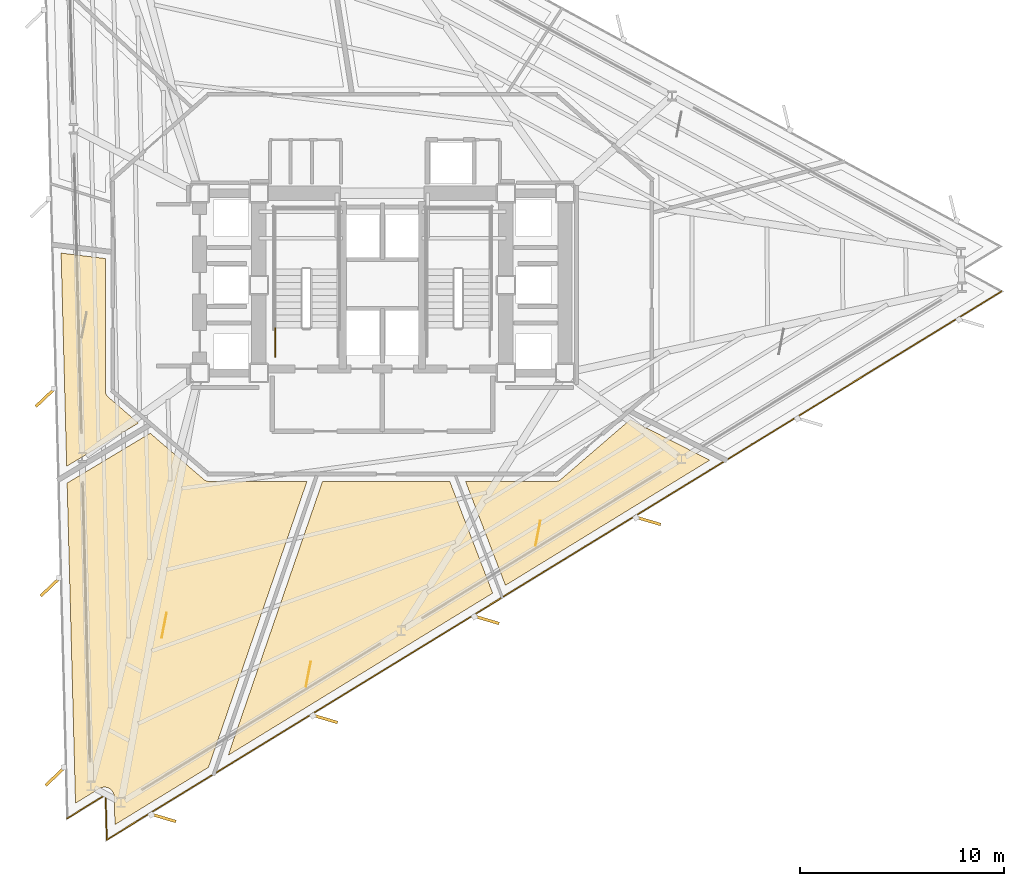
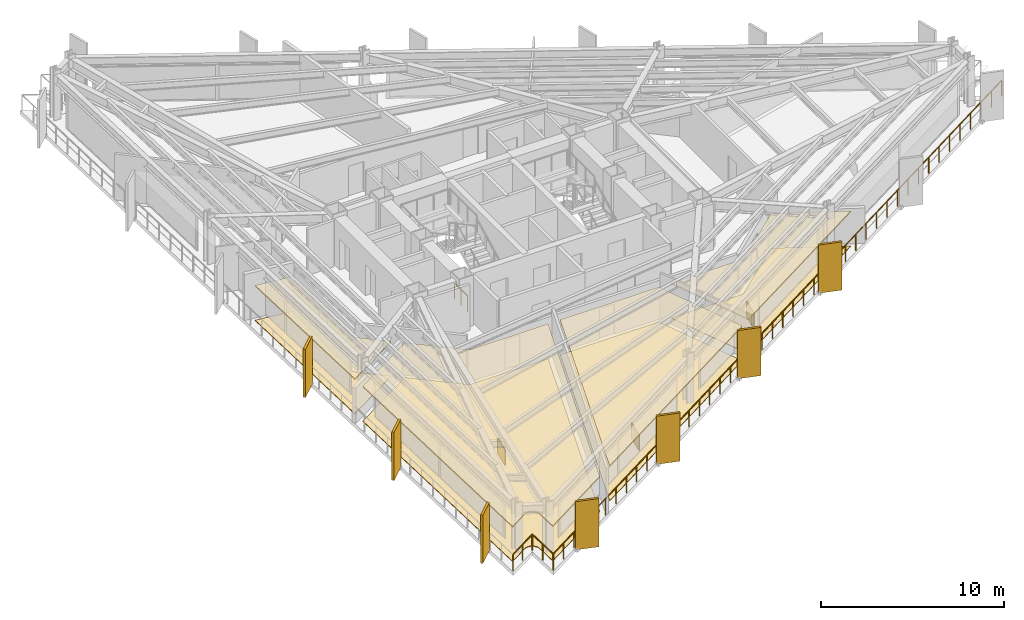
# One storey, part 10 of 14: 11 coverings, 7 shading devices, 2 railings.
"""IFC4 building model written with IfcOpenShell, lengths in metres."""

from ifc_helpers import new_model, si_unit, direction, frame, origin, origin_2d, place, context, subcontext, project, spatial, polyline, rectangle, outline, extrude, material, layer, layer_set, type_object, element, save


model = new_model("IFC4")

# Units and contexts
model_context = context("Model", 3, precision=1e-05, world=origin(), true_north=direction((0.0, 1.0)))
body_context = subcontext(model_context, "Body", "Model", "MODEL_VIEW")
ifc_project = project(units=[si_unit("LENGTHUNIT", "METRE"), si_unit("AREAUNIT", "SQUARE_METRE"), si_unit("VOLUMEUNIT", "CUBIC_METRE"), si_unit("PLANEANGLEUNIT", "RADIAN"), si_unit("MASSUNIT", "GRAM", prefix="KILO")], contexts=[model_context])

# Site, building, storey
site_placement = place(None, origin())
site = spatial("IfcSite", under=ifc_project, at=site_placement, CompositionType="ELEMENT")
building_placement = place(site_placement, origin())
building = spatial("IfcBuilding", under=site, at=building_placement, Name="Rocaltana Carrier Exchange", CompositionType="ELEMENT")
storey_placement = place(building_placement, frame((0.0, 0.0, 28.9599609375)))
storey = spatial("IfcBuildingStorey", under=building, at=storey_placement, Name="L09", CompositionType="ELEMENT", Elevation=28.9599609375)

# Coverings
ifc_material_1 = material(Name="Honed Bogota Sandstone Tile", Category="masonry")
ifc_layer_1 = layer(ifc_material_1, 0.0400390625)
ifc_layer_set_1 = layer_set([ifc_layer_1], Name="Honed Bogota Sandstone Tile")
covering_type_1 = type_object("IfcCoveringType", Name="Honed Stone Lobby Flooring 40", PredefinedType="FLOORING", material=ifc_layer_set_1)
covering_1_placement = place(storey_placement, origin())
element("IfcCovering", 1, at=covering_1_placement, inside=storey, type_object=covering_type_1, Name="L09 Peering Conference Room Finish Floor", PredefinedType="FLOORING", context=body_context, shape_type="SweptSolid", body=[
    extrude(outline(polyline([(-15.732177734375, 1.569091796875), (-13.56005859375, 1.30224609375), (-13.56005859375, -5.199951171875), (-13.559814453125, -5.21337890625), (-13.559326171875, -5.220947265625), (-13.556884765625, -5.24755859375), (-13.5556640625, -5.255126953125), (-13.550537109375, -5.281494140625), (-13.548828125, -5.288818359375), (-13.541259765625, -5.314453125), (-13.538818359375, -5.32177734375), (-13.52880859375, -5.346435546875), (-13.525634765625, -5.353515625), (-13.51318359375, -5.377197265625), (-13.509521484375, -5.3837890625), (-13.4951171875, -5.40625), (-13.490478515625, -5.41259765625), (-13.47412109375, -5.433349609375), (-13.468994140625, -5.439208984375), (-13.450439453125, -5.45849609375), (-13.44482421875, -5.4638671875), (-13.43505859375, -5.47265625), (-11.944580078125, -6.757080078125), (-15.458984375, -8.86865234375), (-15.732177734375, 1.569091796875)])), origin(), (0.0, 0.0, 1.0), 0.0400390625),
])
covering_2_placement = place(storey_placement, origin())
element("IfcCovering", 2, at=covering_2_placement, inside=storey, type_object=covering_type_1, Name="L09 Incident Briefing Room Finish Floor", PredefinedType="FLOORING", context=body_context, shape_type="SweptSolid", body=[
    extrude(outline(polyline([(-13.12939453125, -25.05224609375), (-13.1298828125, -25.038330078125), (-13.131591796875, -25.018310546875), (-13.135009765625, -24.99072265625), (-13.138427734375, -24.97119140625), (-13.144775390625, -24.94384765625), (-13.150146484375, -24.9248046875), (-13.1591796875, -24.898193359375), (-13.16650390625, -24.879638671875), (-13.177978515625, -24.854248046875), (-13.18701171875, -24.83642578125), (-13.200927734375, -24.8125), (-13.2119140625, -24.795654296875), (-13.228271484375, -24.77294921875), (-13.240478515625, -24.75732421875), (-13.259033203125, -24.736572265625), (-13.273193359375, -24.722412109375), (-13.29345703125, -24.703369140625), (-13.308837890625, -24.6904296875), (-13.3310546875, -24.673583984375), (-13.34765625, -24.66259765625), (-13.371337890625, -24.64794921875), (-13.388916015625, -24.638427734375), (-13.4140625, -24.626220703125), (-13.4326171875, -24.61865234375), (-13.458740234375, -24.609130859375), (-13.477783203125, -24.603271484375), (-13.5048828125, -24.596435546875), (-13.5244140625, -24.592529296875), (-13.552001953125, -24.58837890625), (-13.57177734375, -24.58642578125), (-13.599609375, -24.5849609375), (-13.61962890625, -24.585205078125), (-13.6474609375, -24.58642578125), (-13.66748046875, -24.58837890625), (-13.695068359375, -24.5927734375), (-13.714599609375, -24.5966796875), (-13.74169921875, -24.603515625), (-13.760498046875, -24.609619140625), (-13.786865234375, -24.619140625), (-13.80517578125, -24.626708984375), (-13.830322265625, -24.638916015625), (-13.847900390625, -24.6484375), (-13.85986328125, -24.655517578125), (-15.02685546875, -25.37060546875), (-15.437255859375, -9.695556640625), (-11.3701171875, -7.251953125), (-8.735107421875, -9.522705078125), (-8.72412109375, -9.53173828125), (-8.717529296875, -9.53662109375), (-8.6943359375, -9.552978515625), (-8.6875, -9.557373046875), (-8.66259765625, -9.571044921875), (-8.6552734375, -9.57470703125), (-8.629150390625, -9.5859375), (-8.62158203125, -9.5888671875), (-8.594482421875, -9.597412109375), (-8.58642578125, -9.599365234375), (-8.55859375, -9.60498046875), (-8.550537109375, -9.606201171875), (-8.522216796875, -9.609130859375), (-8.51416015625, -9.609619140625), (-8.5, -9.610107421875), (-3.689697265625, -9.610107421875), (-8.510986328125, -23.6123046875), (-13.093505859375, -26.42041015625), (-13.12939453125, -25.05224609375)])), origin(), (0.0, 0.0, 1.0), 0.0400390625),
])
covering_3_placement = place(storey_placement, origin())
element("IfcCovering", 3, at=covering_3_placement, inside=storey, type_object=covering_type_1, Name="L09 Peering Conference Room Finish Floor", PredefinedType="FLOORING", context=body_context, shape_type="SweptSolid", body=[
    extrude(outline(polyline([(-7.5458984375, -23.02099609375), (-2.92822265625, -9.610107421875), (3.30322265625, -9.610107421875), (5.40478515625, -15.084716796875), (-7.5458984375, -23.02099609375)])), origin(), (0.0, 0.0, 1.0), 0.0400390625),
])
covering_4_placement = place(storey_placement, origin())
element("IfcCovering", 4, at=covering_4_placement, inside=storey, type_object=covering_type_1, Name="L09 Optical Switching Laboratory Finish Floor", PredefinedType="FLOORING", context=body_context, shape_type="SweptSolid", body=[
    extrude(outline(polyline([(6.029296875, -14.7021484375), (4.074462890625, -9.610107421875), (8.5, -9.610107421875), (8.51416015625, -9.609619140625), (8.522216796875, -9.609130859375), (8.550537109375, -9.606201171875), (8.55859375, -9.60498046875), (8.58642578125, -9.599365234375), (8.594482421875, -9.597412109375), (8.62158203125, -9.5888671875), (8.629150390625, -9.5859375), (8.6552734375, -9.57470703125), (8.66259765625, -9.571044921875), (8.6875, -9.557373046875), (8.6943359375, -9.552978515625), (8.717529296875, -9.53662109375), (8.72412109375, -9.53173828125), (8.735107421875, -9.522705078125), (12.13916015625, -6.58935546875), (16.031494140625, -8.572509765625), (6.029296875, -14.7021484375)])), origin(), (0.0, 0.0, 1.0), 0.0400390625),
])
ifc_material_2 = material(Name="Anodised Aluminium 6063-T6", Category="aluminium")
ifc_layer_2 = layer(ifc_material_2, 0.0849609375)
ifc_layer_set_2 = layer_set([ifc_layer_2], Name="Anodised Aluminium 6063-T6")
covering_type_2 = type_object("IfcCoveringType", Name="Linear Baffle Acoustic Ceiling 85", PredefinedType="CEILING", material=ifc_layer_set_2)
covering_5_placement = place(storey_placement, frame((0.0, 0.0, 2.282958984375)))
element("IfcCovering", 5, at=covering_5_placement, inside=storey, type_object=covering_type_2, Name="L09 Peering Conference Room Acoustic Ceiling", PredefinedType="CEILING", context=body_context, shape_type="SweptSolid", body=[
    extrude(outline(polyline([(-15.732177734375, 1.569091796875), (-13.56005859375, 1.30224609375), (-13.56005859375, -5.199951171875), (-13.559814453125, -5.21337890625), (-13.559326171875, -5.220947265625), (-13.556884765625, -5.24755859375), (-13.5556640625, -5.255126953125), (-13.550537109375, -5.281494140625), (-13.548828125, -5.288818359375), (-13.541259765625, -5.314453125), (-13.538818359375, -5.32177734375), (-13.52880859375, -5.346435546875), (-13.525634765625, -5.353515625), (-13.51318359375, -5.377197265625), (-13.509521484375, -5.3837890625), (-13.4951171875, -5.40625), (-13.490478515625, -5.41259765625), (-13.47412109375, -5.433349609375), (-13.468994140625, -5.439208984375), (-13.450439453125, -5.45849609375), (-13.44482421875, -5.4638671875), (-13.43505859375, -5.47265625), (-11.944580078125, -6.757080078125), (-15.458984375, -8.86865234375), (-15.732177734375, 1.569091796875)])), origin(), (0.0, 0.0, 1.0), 0.0849609375),
])
covering_6_placement = place(storey_placement, frame((0.0, 0.0, 2.282958984375)))
element("IfcCovering", 6, at=covering_6_placement, inside=storey, type_object=covering_type_2, Name="L09 Incident Briefing Room Acoustic Ceiling", PredefinedType="CEILING", context=body_context, shape_type="SweptSolid", body=[
    extrude(outline(polyline([(-13.12939453125, -25.05224609375), (-13.1298828125, -25.038330078125), (-13.131591796875, -25.018310546875), (-13.135009765625, -24.99072265625), (-13.138427734375, -24.97119140625), (-13.144775390625, -24.94384765625), (-13.150146484375, -24.9248046875), (-13.1591796875, -24.898193359375), (-13.16650390625, -24.879638671875), (-13.177978515625, -24.854248046875), (-13.18701171875, -24.83642578125), (-13.200927734375, -24.8125), (-13.2119140625, -24.795654296875), (-13.228271484375, -24.77294921875), (-13.240478515625, -24.75732421875), (-13.259033203125, -24.736572265625), (-13.273193359375, -24.722412109375), (-13.29345703125, -24.703369140625), (-13.308837890625, -24.6904296875), (-13.3310546875, -24.673583984375), (-13.34765625, -24.66259765625), (-13.371337890625, -24.64794921875), (-13.388916015625, -24.638427734375), (-13.4140625, -24.626220703125), (-13.4326171875, -24.61865234375), (-13.458740234375, -24.609130859375), (-13.477783203125, -24.603271484375), (-13.5048828125, -24.596435546875), (-13.5244140625, -24.592529296875), (-13.552001953125, -24.58837890625), (-13.57177734375, -24.58642578125), (-13.599609375, -24.5849609375), (-13.61962890625, -24.585205078125), (-13.6474609375, -24.58642578125), (-13.66748046875, -24.58837890625), (-13.695068359375, -24.5927734375), (-13.714599609375, -24.5966796875), (-13.74169921875, -24.603515625), (-13.760498046875, -24.609619140625), (-13.786865234375, -24.619140625), (-13.80517578125, -24.626708984375), (-13.830322265625, -24.638916015625), (-13.847900390625, -24.6484375), (-13.85986328125, -24.655517578125), (-15.02685546875, -25.37060546875), (-15.437255859375, -9.695556640625), (-11.3701171875, -7.251953125), (-8.735107421875, -9.522705078125), (-8.72412109375, -9.53173828125), (-8.717529296875, -9.53662109375), (-8.6943359375, -9.552978515625), (-8.6875, -9.557373046875), (-8.66259765625, -9.571044921875), (-8.6552734375, -9.57470703125), (-8.629150390625, -9.5859375), (-8.62158203125, -9.5888671875), (-8.594482421875, -9.597412109375), (-8.58642578125, -9.599365234375), (-8.55859375, -9.60498046875), (-8.550537109375, -9.606201171875), (-8.522216796875, -9.609130859375), (-8.51416015625, -9.609619140625), (-8.5, -9.610107421875), (-3.689697265625, -9.610107421875), (-8.510986328125, -23.6123046875), (-13.093505859375, -26.42041015625), (-13.12939453125, -25.05224609375)])), origin(), (0.0, 0.0, 1.0), 0.0849609375),
])
covering_7_placement = place(storey_placement, frame((0.0, 0.0, 2.282958984375)))
element("IfcCovering", 7, at=covering_7_placement, inside=storey, type_object=covering_type_2, Name="L09 Peering Conference Room Acoustic Ceiling", PredefinedType="CEILING", context=body_context, shape_type="SweptSolid", body=[
    extrude(outline(polyline([(-7.5458984375, -23.02099609375), (-2.92822265625, -9.610107421875), (3.30322265625, -9.610107421875), (5.40478515625, -15.084716796875), (-7.5458984375, -23.02099609375)])), origin(), (0.0, 0.0, 1.0), 0.0849609375),
])
covering_8_placement = place(storey_placement, frame((0.0, 0.0, 2.282958984375)))
element("IfcCovering", 8, at=covering_8_placement, inside=storey, type_object=covering_type_2, Name="L09 Optical Switching Laboratory Acoustic Ceiling", PredefinedType="CEILING", context=body_context, shape_type="SweptSolid", body=[
    extrude(outline(polyline([(6.029296875, -14.7021484375), (4.074462890625, -9.610107421875), (8.5, -9.610107421875), (8.51416015625, -9.609619140625), (8.522216796875, -9.609130859375), (8.550537109375, -9.606201171875), (8.55859375, -9.60498046875), (8.58642578125, -9.599365234375), (8.594482421875, -9.597412109375), (8.62158203125, -9.5888671875), (8.629150390625, -9.5859375), (8.6552734375, -9.57470703125), (8.66259765625, -9.571044921875), (8.6875, -9.557373046875), (8.6943359375, -9.552978515625), (8.717529296875, -9.53662109375), (8.72412109375, -9.53173828125), (8.735107421875, -9.522705078125), (12.13916015625, -6.58935546875), (16.031494140625, -8.572509765625), (6.029296875, -14.7021484375)])), origin(), (0.0, 0.0, 1.0), 0.0849609375),
])

# Railing
ifc_material_3 = material(Name="Powder-Coated Aluminium 6063-T6", Category="aluminium")
ifc_layer_3 = layer(ifc_material_3, 0.048095703125)
ifc_layer_set_3 = layer_set([ifc_layer_3], Name="Powder-Coated Aluminium 6063-T6")
railing_type_1 = type_object("IfcRailingType", Name="Stair Well Guardrail 1100", PredefinedType="GUARDRAIL", material=ifc_layer_set_3)
railing_1_placement = place(storey_placement, frame((-5.25, -3.5, 0.0)))
element("IfcRailing", 9, at=railing_1_placement, inside=storey, type_object=railing_type_1, Name="L09 ST-1 stair guard 9", PredefinedType="GUARDRAIL", context=body_context, shape_type="SweptSolid", body=[
    extrude(rectangle(XDim=0.048095703125, YDim=0.048095703125, at=origin_2d()), frame((0.0, 0.0, 1.076171875), z_axis=(0.0, 1.0, 0.0), x_axis=(-1.0, 0.0, 0.0)), (0.0, 0.0, 1.0), 1.39990234375),
    extrude(rectangle(XDim=0.0419921875, YDim=0.0419921875, at=origin_2d()), origin(), (0.0, 0.0, 1.0), 1.052001953125),
    extrude(rectangle(XDim=0.0419921875, YDim=0.0419921875, at=origin_2d()), frame((0.0, 0.699951171875, 0.0)), (0.0, 0.0, 1.0), 1.052001953125),
    extrude(rectangle(XDim=0.0419921875, YDim=0.0419921875, at=origin_2d()), frame((0.0, 1.39990234375, 0.0)), (0.0, 0.0, 1.0), 1.052001953125),
])

# Coverings
ifc_material_4 = material(Name="Honed Piedra Muneca Sandstone", Category="masonry")
ifc_layer_4 = layer(ifc_material_4, 0.034912109375)
ifc_layer_set_4 = layer_set([ifc_layer_4], Name="Honed Piedra Muneca Sandstone")
covering_type_3 = type_object("IfcCoveringType", Name="Stone Facade Cladding 35", PredefinedType="CLADDING", material=ifc_layer_set_4)
for number, where, z_axis, x_axis, name in (
    (10, (-10.68505859375, -16.654052734375, 0.0), (0.0, 0.0, 1.0), (0.190808995377, 0.981627183448, 0.0), "L09 Stone Facade Cladding Panel 2"),
    (11, (-3.625, -19.052734375, 0.0), (0.0, 0.0, 1.0), (0.190808995377, 0.981627183448, 0.0), "L09 Stone Facade Cladding Panel 3"),
    (12, (7.617919921875, -12.156005859375, 0.0), (0.0, 0.0, 1.0), (0.190808995377, 0.981627183448, 0.0), "L09 Stone Facade Cladding Panel 4"),
):
    element("IfcCovering", number, at=place(storey_placement, frame(where, z_axis=z_axis, x_axis=x_axis)), inside=storey, type_object=covering_type_3, Name=name, PredefinedType="CLADDING", context=body_context, shape_type="SweptSolid", body=[
        extrude(rectangle(XDim=1.25, YDim=0.034912109375, at=origin_2d()), origin(), (0.0, 0.0, 1.0), 1.050048828125),
    ])

# Shading devices
ifc_material_5 = material(Name="Honed Bogota Sandstone & Concrete C45/55", Category="masonry")
ifc_layer_5 = layer(ifc_material_5, 0.139892578125)
ifc_layer_set_5 = layer_set([ifc_layer_5], Name="Honed Bogota Sandstone & Concrete C45/55")
shading_device_type = type_object("IfcShadingDeviceType", Name="Vertical Sandstone Shading Fin 1320x140", PredefinedType="USERDEFINED", material=ifc_layer_set_5)
for number, where, z_axis, x_axis, name in (
    (13, (-16.488525390625, -5.48828125, -0.1201171875), (0.0, 0.0, 1.0), (-0.725374371012, -0.688354575694, 0.0), "L09 Sandstone Vertical Fin F2-04"),
    (14, (-16.24560546875, -14.76513671875, -0.1201171875), (0.0, 0.0, 1.0), (-0.725374371012, -0.688354575694, 0.0), "L09 Sandstone Vertical Fin F2-05"),
    (15, (-16.002685546875, -24.0419921875, -0.1201171875), (0.0, 0.0, 1.0), (-0.725374371012, -0.688354575694, 0.0), "L09 Sandstone Vertical Fin F2-06"),
    (16, (-10.740234375, -26.081787109375, -0.1201171875), (0.0, 0.0, 1.0), (0.958819734868, -0.284015344704, 0.0), "L09 Sandstone Vertical Fin F3-01"),
    (17, (-2.82763671875, -21.23291015625, -0.1201171875), (0.0, 0.0, 1.0), (0.958819734868, -0.284015344704, 0.0), "L09 Sandstone Vertical Fin F3-02"),
    (18, (5.084716796875, -16.384033203125, -0.1201171875), (0.0, 0.0, 1.0), (0.958819734868, -0.284015344704, 0.0), "L09 Sandstone Vertical Fin F3-03"),
    (19, (12.997314453125, -11.535400390625, -0.1201171875), (0.0, 0.0, 1.0), (0.958819734868, -0.284015344704, 0.0), "L09 Sandstone Vertical Fin F3-04"),
):
    element("IfcShadingDevice", number, at=place(storey_placement, frame(where, z_axis=z_axis, x_axis=x_axis)), inside=storey, type_object=shading_device_type, Name=name, ObjectType="FIN", PredefinedType="USERDEFINED", context=body_context, shape_type="SweptSolid", body=[
        extrude(rectangle(XDim=1.320068359375, YDim=0.139892578125, at=origin_2d()), origin(), (0.0, 0.0, 1.0), 3.218017578125),
    ])

# Railing
ifc_material_6 = material(Name="Powder-Coated Aluminium 6063-T6", Category="aluminium")
ifc_layer_6 = layer(ifc_material_6, 0.06005859375)
ifc_layer_set_6 = layer_set([ifc_layer_6], Name="Powder-Coated Aluminium 6063-T6")
railing_type_2 = type_object("IfcRailingType", Name="Wind-Floor & Terrace Perimeter Guardrail 1100", PredefinedType="GUARDRAIL", material=ifc_layer_set_6)
railing_2_placement = place(storey_placement, frame((30.32470703125, -0.306396484375, 0.0)))
element("IfcRailing", 20, at=railing_2_placement, inside=storey, type_object=railing_type_2, Name="L09 Perimeter Balcony Guardrail 1", PredefinedType="GUARDRAIL", context=body_context, shape_type="SweptSolid", body=[
    extrude(rectangle(XDim=0.048095703125, YDim=0.048095703125, at=origin_2d()), frame((0.0, 0.0, 1.076171875), z_axis=(-0.852639552838, -0.522499562619, 0.0), x_axis=(0.522499562619, -0.852639552838, 0.0)), (0.0, 0.0, 1.0), 51.39208984375),
    extrude(rectangle(XDim=0.048095703125, YDim=0.048095703125, at=origin_2d()), frame((-43.81884765625, -26.852294921875, 1.076171875), z_axis=(-0.026187042546, 0.999657060598, 0.0), x_axis=(-0.999657060598, -0.026187042546, 0.0)), (0.0, 0.0, 1.0), 2.2001953125),
    extrude(rectangle(XDim=0.048095703125, YDim=0.048095703125, at=origin_2d()), frame((-43.87646484375, -24.65283203125, 1.076171875), z_axis=(-0.852598062579, -0.522567262356, 0.0), x_axis=(0.522567262356, -0.852598062579, 0.0)), (0.0, 0.0, 1.0), 2.199951171875),
    extrude(rectangle(XDim=0.0419921875, YDim=0.0419921875, at=origin_2d()), origin(), (0.0, 0.0, 1.0), 1.052001953125),
    extrude(rectangle(XDim=0.0419921875, YDim=0.0419921875, at=origin_2d()), frame((-1.01904296875, -0.62451171875, 0.0)), (0.0, 0.0, 1.0), 1.052001953125),
    extrude(rectangle(XDim=0.0419921875, YDim=0.0419921875, at=origin_2d()), frame((-2.0380859375, -1.2490234375, 0.0)), (0.0, 0.0, 1.0), 1.052001953125),
    extrude(rectangle(XDim=0.0419921875, YDim=0.0419921875, at=origin_2d()), frame((-3.05712890625, -1.87353515625, 0.0)), (0.0, 0.0, 1.0), 1.052001953125),
    extrude(rectangle(XDim=0.0419921875, YDim=0.0419921875, at=origin_2d()), frame((-4.076171875, -2.497802734375, 0.0)), (0.0, 0.0, 1.0), 1.052001953125),
    extrude(rectangle(XDim=0.0419921875, YDim=0.0419921875, at=origin_2d()), frame((-5.09521484375, -3.122314453125, 0.0)), (0.0, 0.0, 1.0), 1.052001953125),
    extrude(rectangle(XDim=0.0419921875, YDim=0.0419921875, at=origin_2d()), frame((-6.1142578125, -3.746826171875, 0.0)), (0.0, 0.0, 1.0), 1.052001953125),
    extrude(rectangle(XDim=0.0419921875, YDim=0.0419921875, at=origin_2d()), frame((-7.13330078125, -4.371337890625, 0.0)), (0.0, 0.0, 1.0), 1.052001953125),
    extrude(rectangle(XDim=0.0419921875, YDim=0.0419921875, at=origin_2d()), frame((-8.15234375, -4.995849609375, 0.0)), (0.0, 0.0, 1.0), 1.052001953125),
    extrude(rectangle(XDim=0.0419921875, YDim=0.0419921875, at=origin_2d()), frame((-9.17138671875, -5.620361328125, 0.0)), (0.0, 0.0, 1.0), 1.052001953125),
    extrude(rectangle(XDim=0.0419921875, YDim=0.0419921875, at=origin_2d()), frame((-10.1904296875, -6.24462890625, 0.0)), (0.0, 0.0, 1.0), 1.052001953125),
    extrude(rectangle(XDim=0.0419921875, YDim=0.0419921875, at=origin_2d()), frame((-11.20947265625, -6.869140625, 0.0)), (0.0, 0.0, 1.0), 1.052001953125),
    extrude(rectangle(XDim=0.0419921875, YDim=0.0419921875, at=origin_2d()), frame((-12.228515625, -7.49365234375, 0.0)), (0.0, 0.0, 1.0), 1.052001953125),
    extrude(rectangle(XDim=0.0419921875, YDim=0.0419921875, at=origin_2d()), frame((-13.24755859375, -8.1181640625, 0.0)), (0.0, 0.0, 1.0), 1.052001953125),
    extrude(rectangle(XDim=0.0419921875, YDim=0.0419921875, at=origin_2d()), frame((-14.2666015625, -8.74267578125, 0.0)), (0.0, 0.0, 1.0), 1.052001953125),
    extrude(rectangle(XDim=0.0419921875, YDim=0.0419921875, at=origin_2d()), frame((-15.28564453125, -9.3671875, 0.0)), (0.0, 0.0, 1.0), 1.052001953125),
    extrude(rectangle(XDim=0.0419921875, YDim=0.0419921875, at=origin_2d()), frame((-16.3046875, -9.991455078125, 0.0)), (0.0, 0.0, 1.0), 1.052001953125),
    extrude(rectangle(XDim=0.0419921875, YDim=0.0419921875, at=origin_2d()), frame((-17.32373046875, -10.615966796875, 0.0)), (0.0, 0.0, 1.0), 1.052001953125),
    extrude(rectangle(XDim=0.0419921875, YDim=0.0419921875, at=origin_2d()), frame((-18.3427734375, -11.240478515625, 0.0)), (0.0, 0.0, 1.0), 1.052001953125),
    extrude(rectangle(XDim=0.0419921875, YDim=0.0419921875, at=origin_2d()), frame((-19.36181640625, -11.864990234375, 0.0)), (0.0, 0.0, 1.0), 1.052001953125),
    extrude(rectangle(XDim=0.0419921875, YDim=0.0419921875, at=origin_2d()), frame((-20.380859375, -12.489501953125, 0.0)), (0.0, 0.0, 1.0), 1.052001953125),
    extrude(rectangle(XDim=0.0419921875, YDim=0.0419921875, at=origin_2d()), frame((-21.39990234375, -13.114013671875, 0.0)), (0.0, 0.0, 1.0), 1.052001953125),
    extrude(rectangle(XDim=0.0419921875, YDim=0.0419921875, at=origin_2d()), frame((-22.4189453125, -13.73828125, 0.0)), (0.0, 0.0, 1.0), 1.052001953125),
    extrude(rectangle(XDim=0.0419921875, YDim=0.0419921875, at=origin_2d()), frame((-23.43798828125, -14.36279296875, 0.0)), (0.0, 0.0, 1.0), 1.052001953125),
    extrude(rectangle(XDim=0.0419921875, YDim=0.0419921875, at=origin_2d()), frame((-24.45703125, -14.9873046875, 0.0)), (0.0, 0.0, 1.0), 1.052001953125),
    extrude(rectangle(XDim=0.0419921875, YDim=0.0419921875, at=origin_2d()), frame((-25.47607421875, -15.61181640625, 0.0)), (0.0, 0.0, 1.0), 1.052001953125),
    extrude(rectangle(XDim=0.0419921875, YDim=0.0419921875, at=origin_2d()), frame((-26.4951171875, -16.236328125, 0.0)), (0.0, 0.0, 1.0), 1.052001953125),
    extrude(rectangle(XDim=0.0419921875, YDim=0.0419921875, at=origin_2d()), frame((-27.51416015625, -16.86083984375, 0.0)), (0.0, 0.0, 1.0), 1.052001953125),
    extrude(rectangle(XDim=0.0419921875, YDim=0.0419921875, at=origin_2d()), frame((-28.533203125, -17.485107421875, 0.0)), (0.0, 0.0, 1.0), 1.052001953125),
    extrude(rectangle(XDim=0.0419921875, YDim=0.0419921875, at=origin_2d()), frame((-29.55224609375, -18.109619140625, 0.0)), (0.0, 0.0, 1.0), 1.052001953125),
    extrude(rectangle(XDim=0.0419921875, YDim=0.0419921875, at=origin_2d()), frame((-30.5712890625, -18.734130859375, 0.0)), (0.0, 0.0, 1.0), 1.052001953125),
    extrude(rectangle(XDim=0.0419921875, YDim=0.0419921875, at=origin_2d()), frame((-31.59033203125, -19.358642578125, 0.0)), (0.0, 0.0, 1.0), 1.052001953125),
    extrude(rectangle(XDim=0.0419921875, YDim=0.0419921875, at=origin_2d()), frame((-32.609375, -19.983154296875, 0.0)), (0.0, 0.0, 1.0), 1.052001953125),
    extrude(rectangle(XDim=0.0419921875, YDim=0.0419921875, at=origin_2d()), frame((-33.62841796875, -20.607666015625, 0.0)), (0.0, 0.0, 1.0), 1.052001953125),
    extrude(rectangle(XDim=0.0419921875, YDim=0.0419921875, at=origin_2d()), frame((-34.6474609375, -21.23193359375, 0.0)), (0.0, 0.0, 1.0), 1.052001953125),
    extrude(rectangle(XDim=0.0419921875, YDim=0.0419921875, at=origin_2d()), frame((-35.66650390625, -21.8564453125, 0.0)), (0.0, 0.0, 1.0), 1.052001953125),
    extrude(rectangle(XDim=0.0419921875, YDim=0.0419921875, at=origin_2d()), frame((-36.685546875, -22.48095703125, 0.0)), (0.0, 0.0, 1.0), 1.052001953125),
    extrude(rectangle(XDim=0.0419921875, YDim=0.0419921875, at=origin_2d()), frame((-37.70458984375, -23.10546875, 0.0)), (0.0, 0.0, 1.0), 1.052001953125),
    extrude(rectangle(XDim=0.0419921875, YDim=0.0419921875, at=origin_2d()), frame((-38.7236328125, -23.72998046875, 0.0)), (0.0, 0.0, 1.0), 1.052001953125),
    extrude(rectangle(XDim=0.0419921875, YDim=0.0419921875, at=origin_2d()), frame((-39.74267578125, -24.3544921875, 0.0)), (0.0, 0.0, 1.0), 1.052001953125),
    extrude(rectangle(XDim=0.0419921875, YDim=0.0419921875, at=origin_2d()), frame((-40.76171875, -24.978759765625, 0.0)), (0.0, 0.0, 1.0), 1.052001953125),
    extrude(rectangle(XDim=0.0419921875, YDim=0.0419921875, at=origin_2d()), frame((-41.78076171875, -25.603271484375, 0.0)), (0.0, 0.0, 1.0), 1.052001953125),
    extrude(rectangle(XDim=0.0419921875, YDim=0.0419921875, at=origin_2d()), frame((-42.7998046875, -26.227783203125, 0.0)), (0.0, 0.0, 1.0), 1.052001953125),
    extrude(rectangle(XDim=0.0419921875, YDim=0.0419921875, at=origin_2d()), frame((-43.81884765625, -26.852294921875, 0.0)), (0.0, 0.0, 1.0), 1.052001953125),
    extrude(rectangle(XDim=0.0419921875, YDim=0.0419921875, at=origin_2d()), frame((-43.84765625, -25.75244140625, 0.0)), (0.0, 0.0, 1.0), 1.052001953125),
    extrude(rectangle(XDim=0.0419921875, YDim=0.0419921875, at=origin_2d()), frame((-43.87646484375, -24.65283203125, 0.0)), (0.0, 0.0, 1.0), 1.052001953125),
    extrude(rectangle(XDim=0.0419921875, YDim=0.0419921875, at=origin_2d()), frame((-44.814453125, -25.2275390625, 0.0)), (0.0, 0.0, 1.0), 1.052001953125),
    extrude(rectangle(XDim=0.0419921875, YDim=0.0419921875, at=origin_2d()), frame((-45.752197265625, -25.802490234375, 0.0)), (0.0, 0.0, 1.0), 1.052001953125),
])

save(model, "model.ifc")
